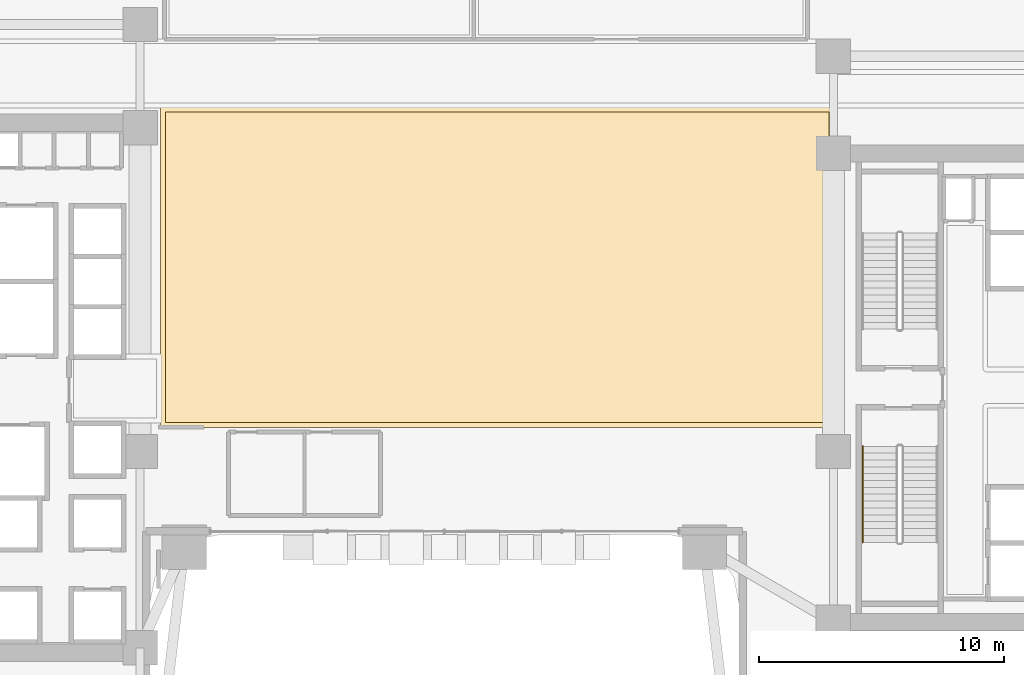
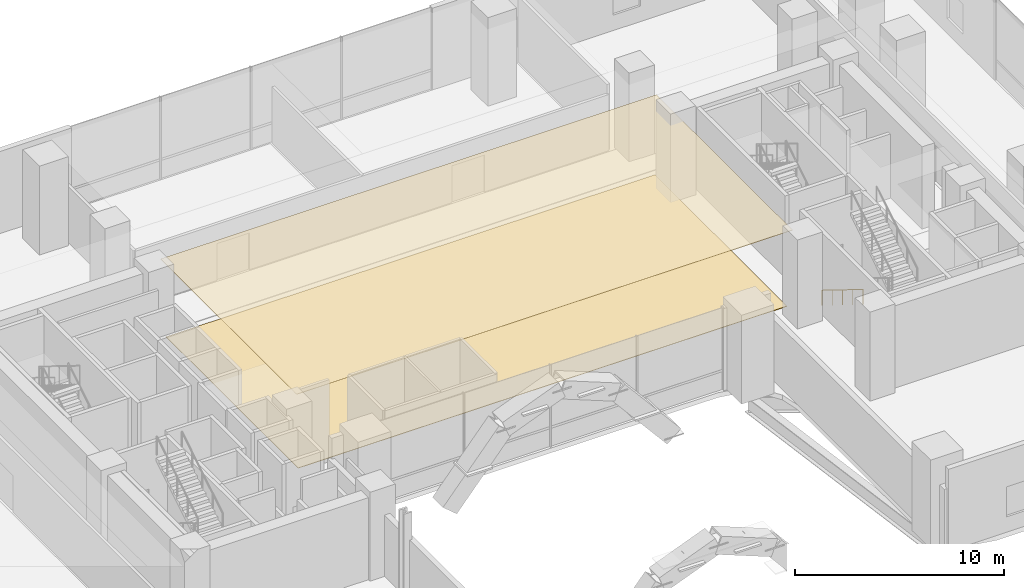
# One storey, part 34 of 39: 2 coverings, 1 railing.
"""IFC4 building model written with IfcOpenShell, lengths in metres."""

from ifc_helpers import new_model, si_unit, direction, frame, origin, origin_2d, place, context, subcontext, project, spatial, polyline, circle, outline, extrude, material, layer, layer_set, type_object, element, save


model = new_model("IFC4")

# Units and contexts
model_context = context("Model", 3, precision=1e-05, world=origin(), true_north=direction((0.0, 1.0)))
body_context = subcontext(model_context, "Body", "Model", "MODEL_VIEW")
ifc_project = project(units=[si_unit("LENGTHUNIT", "METRE"), si_unit("AREAUNIT", "SQUARE_METRE"), si_unit("VOLUMEUNIT", "CUBIC_METRE"), si_unit("PLANEANGLEUNIT", "RADIAN"), si_unit("MASSUNIT", "GRAM", prefix="KILO")], contexts=[model_context])

# Site, building, storey
site_placement = place(None, origin())
site = spatial("IfcSite", under=ifc_project, at=site_placement, CompositionType="ELEMENT")
building_placement = place(site_placement, origin())
building = spatial("IfcBuilding", under=site, at=building_placement, Name="Valdorenza Pilgrim Sanctuary Tower", CompositionType="ELEMENT")
storey_placement = place(building_placement, frame((0.0, 0.0, 15.60009765625)))
storey = spatial("IfcBuildingStorey", under=building, at=storey_placement, Name="L03", CompositionType="ELEMENT", Elevation=15.60009765625)

# Coverings
ifc_material_1 = material(Name="Micro-perforated acoustic mineral ceiling tile", Category="gypsum")
ifc_layer_1 = layer(ifc_material_1, 0.02490234375, Name="Micro-perforated acoustic mineral ceiling tile")
ifc_layer_set_1 = layer_set([ifc_layer_1], Name="Micro-perforated acoustic mineral ceiling tile")
covering_type_1 = type_object("IfcCoveringType", Name="COV-CLG-ACU", PredefinedType="CEILING", material=ifc_layer_set_1)
covering_1_placement = place(storey_placement, frame((0.0, 0.0, 4.5)))
element("IfcCovering", 1, at=covering_1_placement, inside=storey, type_object=covering_type_1, Name="L03 L03 Podium Central Concourse Acoustic Ceiling", PredefinedType="CEILING", context=body_context, shape_type="SweptSolid", body=[
    extrude(outline(polyline([(-11.56298828125, -1.41455078125), (-11.56298828125, 1.344482421875), (-11.56298828125, 1.3447265625), (-11.563720703125, 1.34619140625), (-11.564208984375, 1.347412109375), (-11.564697265625, 1.34912109375), (-11.56494140625, 1.3505859375), (-11.56494140625, 1.35205078125), (-11.56494140625, 7.447998046875), (-11.56494140625, 7.449462890625), (-11.564697265625, 7.45068359375), (-11.564453125, 7.4521484375), (-11.56396484375, 7.45361328125), (-11.563232421875, 7.454833984375), (-11.56298828125, 7.455322265625), (-11.56298828125, 8.944580078125), (-11.56298828125, 8.944580078125), (-11.563720703125, 8.946044921875), (-11.564208984375, 8.947509765625), (-11.564697265625, 8.948974609375), (-11.56494140625, 8.950439453125), (-11.56494140625, 8.951904296875), (-11.56494140625, 11.41796875), (-11.56494140625, 11.41943359375), (-11.564697265625, 11.4208984375), (-11.564453125, 11.42236328125), (-11.56396484375, 11.423583984375), (-11.563232421875, 11.425048828125), (-11.5625, 11.42626953125), (-11.5615234375, 11.427490234375), (-11.560546875, 11.4287109375), (-11.5595703125, 11.4296875), (-11.558349609375, 11.430419921875), (-11.55712890625, 11.43115234375), (-11.5556640625, 11.431884765625), (-11.554443359375, 11.432373046875), (-11.552978515625, 11.4326171875), (-11.551513671875, 11.432861328125), (-11.550048828125, 11.43310546875), (15.85009765625, 11.43310546875), (15.8515625, 11.432861328125), (15.852783203125, 11.4326171875), (15.8544921875, 11.432373046875), (15.855712890625, 11.431884765625), (15.857177734375, 11.43115234375), (15.8583984375, 11.430419921875), (15.859619140625, 11.4296875), (15.860595703125, 11.4287109375), (15.861572265625, 11.427490234375), (15.862548828125, 11.42626953125), (15.86328125, 11.425048828125), (15.864013671875, 11.423583984375), (15.864501953125, 11.42236328125), (15.86474609375, 11.4208984375), (15.864990234375, 11.41943359375), (15.864990234375, 11.41796875), (15.864990234375, 0.822021484375), (15.864990234375, 0.820556640625), (15.86474609375, 0.819091796875), (15.864501953125, 0.81787109375), (15.864013671875, 0.81640625), (15.86328125, 0.815185546875), (15.863037109375, 0.814697265625), (15.863037109375, -0.814697265625), (15.86328125, -0.815185546875), (15.864013671875, -0.81640625), (15.864501953125, -0.81787109375), (15.86474609375, -0.819091796875), (15.864990234375, -0.820556640625), (15.864990234375, -0.822021484375), (15.864990234375, -1.60009765625), (15.864990234375, -1.6015625), (15.86474609375, -1.602783203125), (15.864501953125, -1.6044921875), (15.864013671875, -1.605712890625), (15.86328125, -1.607177734375), (15.862548828125, -1.6083984375), (15.861572265625, -1.609619140625), (15.860595703125, -1.610595703125), (15.859619140625, -1.611572265625), (15.8583984375, -1.612548828125), (15.857177734375, -1.61328125), (15.855712890625, -1.614013671875), (15.8544921875, -1.614501953125), (15.852783203125, -1.61474609375), (15.8515625, -1.614990234375), (15.85009765625, -1.614990234375), (-11.550048828125, -1.614990234375), (-11.551513671875, -1.614990234375), (-11.552978515625, -1.61474609375), (-11.554443359375, -1.614501953125), (-11.5556640625, -1.614013671875), (-11.55712890625, -1.61328125), (-11.558349609375, -1.612548828125), (-11.5595703125, -1.611572265625), (-11.560546875, -1.610595703125), (-11.5615234375, -1.609619140625), (-11.5625, -1.6083984375), (-11.563232421875, -1.607177734375), (-11.56396484375, -1.605712890625), (-11.564453125, -1.6044921875), (-11.564697265625, -1.602783203125), (-11.56494140625, -1.6015625), (-11.56494140625, -1.60009765625), (-11.56494140625, -1.422119140625), (-11.56494140625, -1.42041015625), (-11.564697265625, -1.4189453125), (-11.564208984375, -1.41748046875), (-11.563720703125, -1.416015625), (-11.56298828125, -1.414794921875), (-11.56298828125, -1.41455078125)])), origin(), (0.0, 0.0, 1.0), 0.02490234375),
])
ifc_material_2 = material(Name="Honed travertine stone flooring", Category="masonry")
ifc_layer_2 = layer(ifc_material_2, 0.030029296875, Name="Honed travertine stone flooring")
ifc_layer_set_2 = layer_set([ifc_layer_2], Name="Honed travertine stone flooring")
covering_type_2 = type_object("IfcCoveringType", Name="COV-FLR-TRV", PredefinedType="FLOORING", material=ifc_layer_set_2)
covering_2_placement = place(storey_placement, origin())
element("IfcCovering", 2, at=covering_2_placement, inside=storey, type_object=covering_type_2, Name="L03 L03 Podium Central Concourse Flooring", PredefinedType="FLOORING", context=body_context, shape_type="SweptSolid", body=[
    extrude(outline(polyline([(-11.367919921875, -1.419921875), (-11.367919921875, -1.419921875), (-11.367919921875, 1.35009765625), (-11.3701171875, 7.423095703125), (-11.3701171875, 7.423095703125), (-11.3701171875, 7.42333984375), (-11.3681640625, 7.44091796875), (-11.3681640625, 7.441162109375), (-11.367919921875, 7.449951171875), (-11.367919921875, 8.949951171875), (-11.369873046875, 11.238037109375), (15.669921875, 11.238037109375), (15.669921875, 0.846923828125), (15.669921875, 0.8466796875), (15.669921875, 0.8466796875), (15.668212890625, 0.8291015625), (15.668212890625, 0.828857421875), (15.66796875, 0.820068359375), (15.66796875, -0.820068359375), (15.66796875, -0.820556640625), (15.66943359375, -1.419921875), (-11.367919921875, -1.419921875)])), origin(), (0.0, 0.0, 1.0), 0.02490234375),
])

# Railing
ifc_material_3 = material(Name="Brushed stainless steel Grade 316", Category="steel")
railing_type = type_object("IfcRailingType", Name="RLG-HND-920", PredefinedType="HANDRAIL", material=ifc_material_3)
railing_placement = place(storey_placement, frame((17.050048828125, -2.3798828125, 0.17333984375)))
element("IfcRailing", 3, at=railing_placement, inside=storey, type_object=railing_type, Name="L03 ST-B2 stair handrail 1", PredefinedType="HANDRAIL", context=body_context, shape_type="SweptSolid", body=[
    extrude(circle(Radius=0.02392578125, at=origin_2d()), frame((0.0, 0.0, 0.8759765625), z_axis=(0.0, -0.850289973577, 0.526314507528), x_axis=(1.0, 0.0, 0.0)), (0.0, 0.0, 1.0), 4.6103515625),
    extrude(circle(Radius=0.02099609375, at=origin_2d()), origin(), (0.0, 0.0, 1.0), 0.851806640625),
    extrude(circle(Radius=0.02099609375, at=origin_2d()), frame((0.0, -0.97998046875, 0.606689453125)), (0.0, 0.0, 1.0), 0.851806640625),
    extrude(circle(Radius=0.02099609375, at=origin_2d()), frame((0.0, -1.9599609375, 1.21337890625)), (0.0, 0.0, 1.0), 0.851806640625),
    extrude(circle(Radius=0.02099609375, at=origin_2d()), frame((0.0, -2.940185546875, 1.81982421875)), (0.0, 0.0, 1.0), 0.851806640625),
    extrude(circle(Radius=0.02099609375, at=origin_2d()), frame((0.0, -3.920166015625, 2.426513671875)), (0.0, 0.0, 1.0), 0.851806640625),
])

save(model, "model.ifc")
